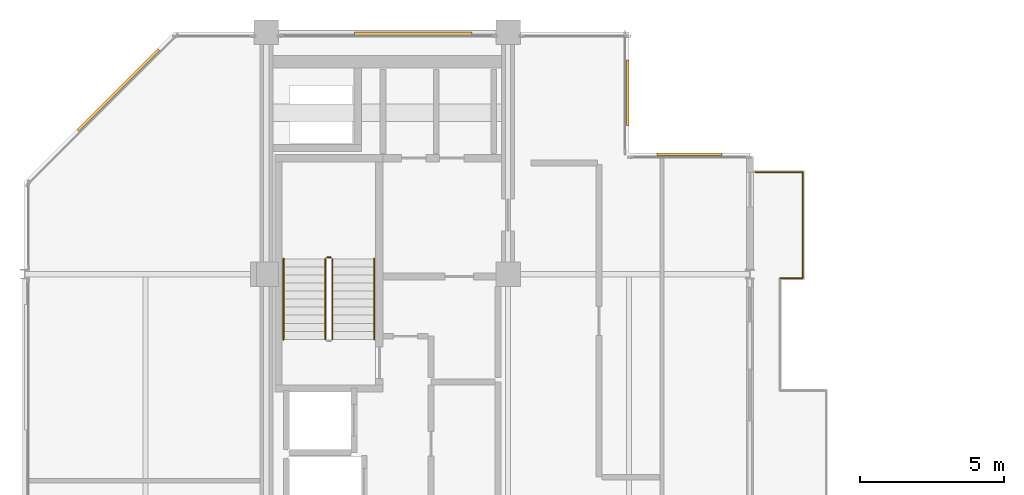
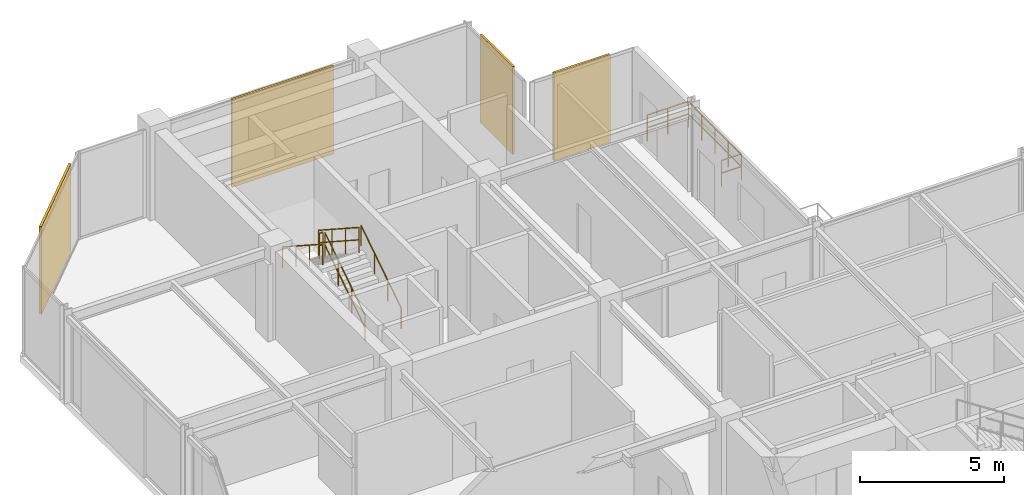
# One storey, part 24 of 24: 8 railings, 4 coverings.
"""IFC4 building model written with IfcOpenShell, lengths in metres."""

from ifc_helpers import new_model, si_unit, direction, frame, origin, origin_2d, place, context, subcontext, project, spatial, rectangle, circle, extrude, material, layer, layer_set, type_object, element, save


model = new_model("IFC4")

# Units and contexts
model_context = context("Model", 3, precision=1e-05, world=origin(), true_north=direction((0.0, 1.0)))
body_context = subcontext(model_context, "Body", "Model", "MODEL_VIEW")
ifc_project = project(units=[si_unit("LENGTHUNIT", "METRE"), si_unit("AREAUNIT", "SQUARE_METRE"), si_unit("VOLUMEUNIT", "CUBIC_METRE"), si_unit("PLANEANGLEUNIT", "RADIAN"), si_unit("MASSUNIT", "GRAM", prefix="KILO")], contexts=[model_context])

# Site, building, storey
site_placement = place(None, origin())
site = spatial("IfcSite", under=ifc_project, at=site_placement, CompositionType="ELEMENT")
building_placement = place(site_placement, origin())
building = spatial("IfcBuilding", under=site, at=building_placement, Name="Nerrivon Quay Data Exchange", CompositionType="ELEMENT")
storey_placement = place(building_placement, frame((0.0, 0.0, 294.199951171875)))
storey = spatial("IfcBuildingStorey", under=building, at=storey_placement, Name="L70", CompositionType="ELEMENT", Elevation=294.199951171875)

# Coverings
ifc_material_1 = material(Name="Architectural terracotta ceramic", Category="masonry")
ifc_layer = layer(ifc_material_1, 0.090087890625)
ifc_layer_set = layer_set([ifc_layer], Name="Architectural terracotta ceramic")
covering_type = type_object("IfcCoveringType", Name="COV-SCR-TERR", PredefinedType="CLADDING", material=ifc_layer_set)
covering_1_placement = place(storey_placement, frame((3.255859375, 39.9921875, 0.0), z_axis=(0.0, 0.0, 1.0), x_axis=(0.707106781187, 0.707106781187, 0.0)))
element("IfcCovering", 1, at=covering_1_placement, inside=storey, type_object=covering_type, Name="L70 Perforated Terracotta SOLAR SCREEN Cassette", PredefinedType="CLADDING", context=body_context, shape_type="SweptSolid", body=[
    extrude(rectangle(XDim=3.970947265625, YDim=0.090087890625, at=origin_2d()), origin(), (0.0, 0.0, 1.0), 3.72509765625),
])
covering_2_placement = place(storey_placement, frame((13.506103515625, 41.955078125, 0.0), z_axis=(0.0, 0.0, 1.0), x_axis=(1.0, 0.0, 0.0)))
element("IfcCovering", 2, at=covering_2_placement, inside=storey, type_object=covering_type, Name="L70 Perforated Terracotta SOLAR SCREEN Cassette", PredefinedType="CLADDING", context=body_context, shape_type="SweptSolid", body=[
    extrude(rectangle(XDim=4.076904296875, YDim=0.090087890625, at=origin_2d()), origin(), (0.0, 0.0, 1.0), 3.72509765625),
])
for number, where, z_axis, x_axis, name in (
    (3, (20.955078125, 39.89990234375, 0.0), (0.0, 0.0, 1.0), (0.0, -1.0, 0.0), "L70 Perforated Terracotta SOLAR SCREEN Cassette"),
    (4, (23.10009765625, 37.7548828125, 0.0), (0.0, 0.0, 1.0), (1.0, 0.0, 0.0), "L70 Perforated Terracotta SOLAR SCREEN Cassette"),
):
    element("IfcCovering", number, at=place(storey_placement, frame(where, z_axis=z_axis, x_axis=x_axis)), inside=storey, type_object=covering_type, Name=name, PredefinedType="CLADDING", context=body_context, shape_type="SweptSolid", body=[
        extrude(rectangle(XDim=2.26806640625, YDim=0.090087890625, at=origin_2d()), origin(), (0.0, 0.0, 1.0), 3.72509765625),
    ])

# Railings
ifc_material_2 = material(Name="Steel Grade C350L0 (350 MPa)", Category="steel")
railing_type_1 = type_object("IfcRailingType", Name="RAIL-GUARD-GR2", PredefinedType="BALUSTRADE", material=ifc_material_2)
railing_1_placement = place(storey_placement, frame((25.3798828125, 37.139892578125, 0.0)))
element("IfcRailing", 5, at=railing_1_placement, inside=storey, type_object=railing_type_1, Name="L70 Verandah Balcony Guard 1.4 1", PredefinedType="BALUSTRADE", context=body_context, shape_type="SweptSolid", body=[
    extrude(circle(Radius=0.02392578125, at=origin_2d()), frame((0.0, 0.0, 1.09619140625), z_axis=(1.0, 0.0, 0.0), x_axis=(0.0, 1.0, 0.0)), (0.0, 0.0, 1.0), 1.66015625),
    extrude(circle(Radius=0.02392578125, at=origin_2d()), frame((0.0, 0.0, 0.56005859375), z_axis=(1.0, 0.0, 0.0), x_axis=(0.0, 1.0, 0.0)), (0.0, 0.0, 1.0), 1.66015625),
    extrude(circle(Radius=0.02099609375, at=origin_2d()), origin(), (0.0, 0.0, 1.0), 1.072021484375),
    extrude(circle(Radius=0.02099609375, at=origin_2d()), frame((0.830078125, 0.0, 0.0)), (0.0, 0.0, 1.0), 1.072021484375),
    extrude(circle(Radius=0.02099609375, at=origin_2d()), frame((1.66015625, 0.0, 0.0)), (0.0, 0.0, 1.0), 1.072021484375),
])
railing_2_placement = place(storey_placement, frame((27.0400390625, 37.139892578125, 0.0)))
element("IfcRailing", 6, at=railing_2_placement, inside=storey, type_object=railing_type_1, Name="L70 Verandah Balcony Guard 1.5 1", PredefinedType="BALUSTRADE", context=body_context, shape_type="SweptSolid", body=[
    extrude(circle(Radius=0.02392578125, at=origin_2d()), frame((0.0, 0.0, 1.09619140625), z_axis=(0.0, -1.0, 0.0), x_axis=(1.0, 0.0, 0.0)), (0.0, 0.0, 1.0), 3.679931640625),
    extrude(circle(Radius=0.02392578125, at=origin_2d()), frame((0.0, 0.0, 0.56005859375), z_axis=(0.0, -1.0, 0.0), x_axis=(1.0, 0.0, 0.0)), (0.0, 0.0, 1.0), 3.679931640625),
    extrude(circle(Radius=0.02099609375, at=origin_2d()), origin(), (0.0, 0.0, 1.0), 1.072021484375),
    extrude(circle(Radius=0.02099609375, at=origin_2d()), frame((0.0, -0.919921875, 0.0)), (0.0, 0.0, 1.0), 1.072021484375),
    extrude(circle(Radius=0.02099609375, at=origin_2d()), frame((0.0, -1.83984375, 0.0)), (0.0, 0.0, 1.0), 1.072021484375),
    extrude(circle(Radius=0.02099609375, at=origin_2d()), frame((0.0, -2.760009765625, 0.0)), (0.0, 0.0, 1.0), 1.072021484375),
    extrude(circle(Radius=0.02099609375, at=origin_2d()), frame((0.0, -3.679931640625, 0.0)), (0.0, 0.0, 1.0), 1.072021484375),
])
railing_3_placement = place(storey_placement, frame((27.0400390625, 33.4599609375, 0.0)))
element("IfcRailing", 7, at=railing_3_placement, inside=storey, type_object=railing_type_1, Name="L70 Verandah Balcony Guard 1.6 1", PredefinedType="BALUSTRADE", context=body_context, shape_type="SweptSolid", body=[
    extrude(circle(Radius=0.02392578125, at=origin_2d()), frame((0.0, 0.0, 1.09619140625), z_axis=(-1.0, 0.0, 0.0), x_axis=(0.0, -1.0, 0.0)), (0.0, 0.0, 1.0), 0.800048828125),
    extrude(circle(Radius=0.02392578125, at=origin_2d()), frame((0.0, 0.0, 0.56005859375), z_axis=(-1.0, 0.0, 0.0), x_axis=(0.0, -1.0, 0.0)), (0.0, 0.0, 1.0), 0.800048828125),
    extrude(circle(Radius=0.02099609375, at=origin_2d()), origin(), (0.0, 0.0, 1.0), 1.072021484375),
    extrude(circle(Radius=0.02099609375, at=origin_2d()), frame((-0.800048828125, 0.0, 0.0)), (0.0, 0.0, 1.0), 1.072021484375),
])
railing_type_2 = type_object("IfcRailingType", Name="RAIL-HAND-HR1", PredefinedType="HANDRAIL", material=ifc_material_2)
railing_4_placement = place(storey_placement, frame((12.14990234375, 31.330078125, 0.181884765625)))
element("IfcRailing", 8, at=railing_4_placement, inside=storey, type_object=railing_type_2, Name="L70 ST01 stair handrail 1", PredefinedType="HANDRAIL", context=body_context, shape_type="SweptSolid", body=[
    extrude(circle(Radius=0.02392578125, at=origin_2d()), frame((0.0, 0.0, 0.8759765625), z_axis=(0.0, 0.83868413941, 0.544618136222), x_axis=(-1.0, 0.0, 0.0)), (0.0, 0.0, 1.0), 3.33837890625),
    extrude(circle(Radius=0.02099609375, at=origin_2d()), origin(), (0.0, 0.0, 1.0), 0.851806640625),
    extrude(circle(Radius=0.02099609375, at=origin_2d()), frame((0.0, 0.933349609375, 0.60595703125)), (0.0, 0.0, 1.0), 0.851806640625),
    extrude(circle(Radius=0.02099609375, at=origin_2d()), frame((0.0, 1.866455078125, 1.212158203125)), (0.0, 0.0, 1.0), 0.851806640625),
    extrude(circle(Radius=0.02099609375, at=origin_2d()), frame((0.0, 2.7998046875, 1.818115234375)), (0.0, 0.0, 1.0), 0.851806640625),
])
railing_5_placement = place(storey_placement, frame((9.0, 34.1298828125, 2.181884765625)))
element("IfcRailing", 9, at=railing_5_placement, inside=storey, type_object=railing_type_2, Name="L70 ST01 stair handrail 2", PredefinedType="HANDRAIL", context=body_context, shape_type="SweptSolid", body=[
    extrude(circle(Radius=0.02392578125, at=origin_2d()), frame((0.0, 0.0, 0.8759765625), z_axis=(0.0, -0.83868413941, 0.544618136222), x_axis=(1.0, 0.0, 0.0)), (0.0, 0.0, 1.0), 3.33837890625),
    extrude(circle(Radius=0.02099609375, at=origin_2d()), origin(), (0.0, 0.0, 1.0), 0.851806640625),
    extrude(circle(Radius=0.02099609375, at=origin_2d()), frame((0.0, -0.933349609375, 0.60595703125)), (0.0, 0.0, 1.0), 0.851806640625),
    extrude(circle(Radius=0.02099609375, at=origin_2d()), frame((0.0, -1.866455078125, 1.212158203125)), (0.0, 0.0, 1.0), 0.851806640625),
    extrude(circle(Radius=0.02099609375, at=origin_2d()), frame((0.0, -2.7998046875, 1.818115234375)), (0.0, 0.0, 1.0), 0.851806640625),
])
railing_type_3 = type_object("IfcRailingType", Name="RAIL-STAIR-GR1", PredefinedType="BALUSTRADE", material=ifc_material_2)
railing_6_placement = place(storey_placement, frame((10.699951171875, 31.330078125, 0.181884765625)))
element("IfcRailing", 10, at=railing_6_placement, inside=storey, type_object=railing_type_3, Name="L70 ST01 stair guard 1", PredefinedType="BALUSTRADE", context=body_context, shape_type="SweptSolid", body=[
    extrude(circle(Radius=0.02392578125, at=origin_2d()), frame((0.0, 0.0, 1.076171875), z_axis=(0.0, 0.83868413941, 0.544618136222), x_axis=(-1.0, 0.0, 0.0)), (0.0, 0.0, 1.0), 3.33837890625),
    extrude(circle(Radius=0.02392578125, at=origin_2d()), frame((0.0, 0.0, 0.550048828125), z_axis=(0.0, 0.83868413941, 0.544618136222), x_axis=(-1.0, 0.0, 0.0)), (0.0, 0.0, 1.0), 3.33837890625),
    extrude(circle(Radius=0.02099609375, at=origin_2d()), origin(), (0.0, 0.0, 1.0), 1.052001953125),
    extrude(circle(Radius=0.02099609375, at=origin_2d()), frame((0.0, 0.933349609375, 0.60595703125)), (0.0, 0.0, 1.0), 1.052001953125),
    extrude(circle(Radius=0.02099609375, at=origin_2d()), frame((0.0, 1.866455078125, 1.212158203125)), (0.0, 0.0, 1.0), 1.052001953125),
    extrude(circle(Radius=0.02099609375, at=origin_2d()), frame((0.0, 2.7998046875, 1.818115234375)), (0.0, 0.0, 1.0), 1.052001953125),
])
railing_7_placement = place(storey_placement, frame((10.64990234375, 34.179931640625, 2.0)))
element("IfcRailing", 11, at=railing_7_placement, inside=storey, type_object=railing_type_3, Name="L70 ST01 stair guard 2", PredefinedType="BALUSTRADE", context=body_context, shape_type="SweptSolid", body=[
    extrude(circle(Radius=0.02392578125, at=origin_2d()), frame((0.0, 0.0, 1.076171875), z_axis=(-1.0, 0.0, 0.0), x_axis=(0.0, -1.0, 0.0)), (0.0, 0.0, 1.0), 0.14990234375),
    extrude(circle(Radius=0.02392578125, at=origin_2d()), frame((0.0, 0.0, 0.550048828125), z_axis=(-1.0, 0.0, 0.0), x_axis=(0.0, -1.0, 0.0)), (0.0, 0.0, 1.0), 0.14990234375),
    extrude(circle(Radius=0.02099609375, at=origin_2d()), origin(), (0.0, 0.0, 1.0), 1.052001953125),
    extrude(circle(Radius=0.02099609375, at=origin_2d()), frame((-0.14990234375, 0.0, 0.0)), (0.0, 0.0, 1.0), 1.052001953125),
])
railing_8_placement = place(storey_placement, frame((10.449951171875, 34.1298828125, 2.181884765625)))
element("IfcRailing", 12, at=railing_8_placement, inside=storey, type_object=railing_type_3, Name="L70 ST01 stair guard 3", PredefinedType="BALUSTRADE", context=body_context, shape_type="SweptSolid", body=[
    extrude(circle(Radius=0.02392578125, at=origin_2d()), frame((0.0, 0.0, 1.076171875), z_axis=(0.0, -0.83868413941, 0.544618136222), x_axis=(1.0, 0.0, 0.0)), (0.0, 0.0, 1.0), 3.33837890625),
    extrude(circle(Radius=0.02392578125, at=origin_2d()), frame((0.0, 0.0, 0.550048828125), z_axis=(0.0, -0.83868413941, 0.544618136222), x_axis=(1.0, 0.0, 0.0)), (0.0, 0.0, 1.0), 3.33837890625),
    extrude(circle(Radius=0.02099609375, at=origin_2d()), origin(), (0.0, 0.0, 1.0), 1.052001953125),
    extrude(circle(Radius=0.02099609375, at=origin_2d()), frame((0.0, -0.933349609375, 0.60595703125)), (0.0, 0.0, 1.0), 1.052001953125),
    extrude(circle(Radius=0.02099609375, at=origin_2d()), frame((0.0, -1.866455078125, 1.212158203125)), (0.0, 0.0, 1.0), 1.052001953125),
    extrude(circle(Radius=0.02099609375, at=origin_2d()), frame((0.0, -2.7998046875, 1.818115234375)), (0.0, 0.0, 1.0), 1.052001953125),
])

save(model, "model.ifc")
